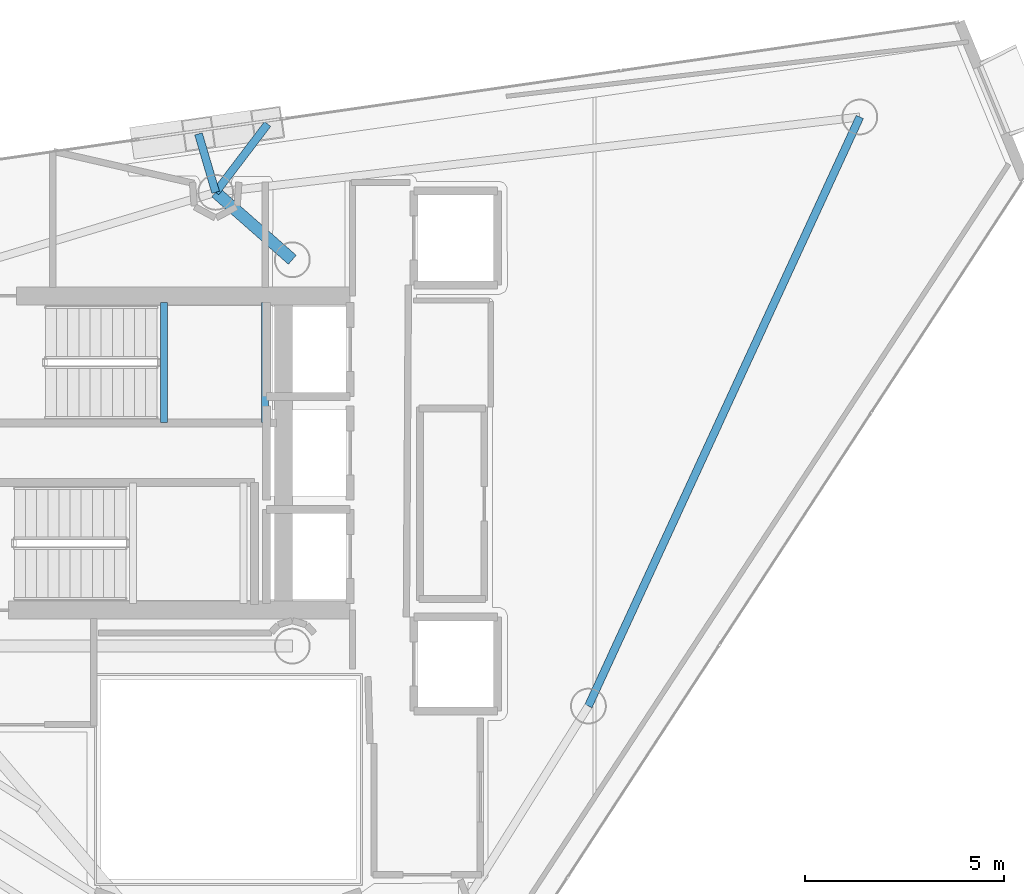
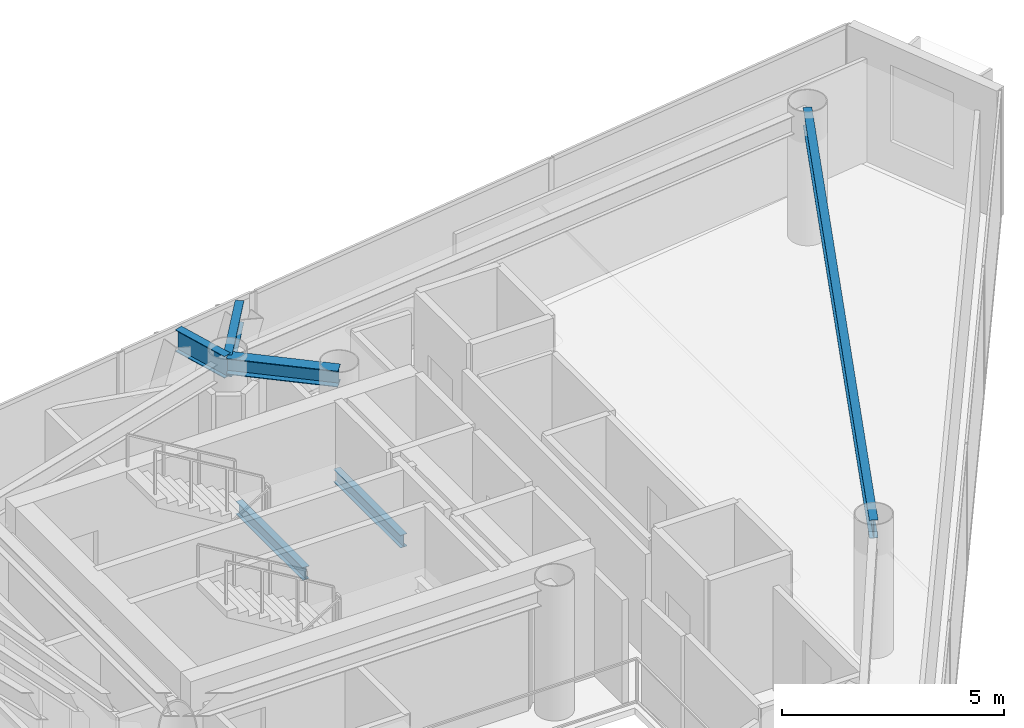
# One storey, part 15 of 25: 6 beams.
"""IFC4 building model written with IfcOpenShell, lengths in metres."""

from ifc_helpers import new_model, si_unit, direction, frame, origin, origin_2d, place, context, subcontext, project, spatial, i_section, extrude, material, material_profile, profile_set, type_object, element, save


model = new_model("IFC4")

# Units and contexts
model_context = context("Model", 3, precision=1e-05, world=origin(), true_north=direction((0.0, 1.0)))
body_context = subcontext(model_context, "Body", "Model", "MODEL_VIEW")
ifc_project = project(units=[si_unit("LENGTHUNIT", "METRE"), si_unit("AREAUNIT", "SQUARE_METRE"), si_unit("VOLUMEUNIT", "CUBIC_METRE"), si_unit("PLANEANGLEUNIT", "RADIAN"), si_unit("MASSUNIT", "GRAM", prefix="KILO")], contexts=[model_context])

# Site, building, storey
site_placement = place(None, origin())
site = spatial("IfcSite", under=ifc_project, at=site_placement, CompositionType="ELEMENT")
building_placement = place(site_placement, origin())
building = spatial("IfcBuilding", under=site, at=building_placement, Name="Qianvela Tower", CompositionType="ELEMENT")
storey_placement = place(building_placement, frame((0.0, 0.0, 291.699951171875)))
storey = spatial("IfcBuildingStorey", under=building, at=storey_placement, Name="L75", CompositionType="ELEMENT", Elevation=291.699951171875)

# Beams
ifc_material_1 = material(Name="Steel Q355B", Category="steel")
ifc_material_profile_1 = material_profile(ifc_material_1, i_section(OverallWidth=0.300048828125, OverallDepth=0.43994140625, WebThickness=0.010986328125, FlangeThickness=0.01806640625, at=origin_2d()), Name="HM440x300x11x18")
ifc_profile_set_1 = profile_set([ifc_material_profile_1], Name="Steel Q355B")
beam_type_1 = type_object("IfcBeamType", Name="BM-HM440-COLL", PredefinedType="BEAM", material=ifc_profile_set_1)
beam_1_placement = place(storey_placement, frame((38.39990234375, 33.550048828125, 3.298095703125), z_axis=(-0.750732416106, 0.660606417928, 0.0), x_axis=(-0.660606417928, -0.750732416106, 0.0)))
element("IfcBeam", 1, at=beam_1_placement, inside=storey, type_object=beam_type_1, Name="L75 Radial Primary Floor Girder 2", PredefinedType="BEAM", context=body_context, shape_type="SweptSolid", body=[
    extrude(i_section(OverallWidth=0.300048828125, OverallDepth=0.43994140625, WebThickness=0.010986328125, FlangeThickness=0.01806640625, at=origin_2d()), origin(), (0.0, 0.0, 1.0), 2.5625),
])
ifc_material_2 = material(Name="Steel Q355B", Category="steel")
ifc_material_profile_2 = material_profile(ifc_material_2, i_section(OverallWidth=0.175048828125, OverallDepth=0.35009765625, WebThickness=0.007080078125, FlangeThickness=0.010986328125, at=origin_2d()), Name="HN350x175x7x11")
ifc_profile_set_2 = profile_set([ifc_material_profile_2], Name="Steel Q355B")
beam_type_2 = type_object("IfcBeamType", Name="BM-HN350-JOIST", PredefinedType="JOIST", material=ifc_profile_set_2)
for number, where, z_axis, x_axis, name in (
    (2, (35.179931640625, 29.4599609375, 1.47509765625), (0.0, 1.0, 0.0), (-1.0, 0.0, 0.0), "L75 Stair ST-1 Landing Support Beam 1.1"),
    (3, (37.719970703125, 29.4599609375, 1.47509765625), (0.0, 1.0, 0.0), (-1.0, 0.0, 0.0), "L75 Stair ST-1 Landing Support Beam 1.2"),
):
    element("IfcBeam", number, at=place(storey_placement, frame(where, z_axis=z_axis, x_axis=x_axis)), inside=storey, type_object=beam_type_2, Name=name, PredefinedType="JOIST", context=body_context, shape_type="SweptSolid", body=[
        extrude(i_section(OverallWidth=0.175048828125, OverallDepth=0.35009765625, WebThickness=0.007080078125, FlangeThickness=0.010986328125, at=origin_2d()), origin(), (0.0, 0.0, 1.0), 3.02001953125),
    ])
ifc_material_3 = material(Name="Steel Q355B", Category="steel")
ifc_material_profile_3 = material_profile(ifc_material_3, i_section(OverallWidth=0.199951171875, OverallDepth=0.5, WebThickness=0.010009765625, FlangeThickness=0.01611328125, at=origin_2d()), Name="HN500x200x10x16")
ifc_profile_set_3 = profile_set([ifc_material_profile_3], Name="Steel Q355B")
beam_type_3 = type_object("IfcBeamType", Name="BM-HN500-GIRD", PredefinedType="BEAM", material=ifc_profile_set_3)
beam_2_placement = place(storey_placement, frame((45.833984375, 22.344970703125, 3.26806640625), z_axis=(0.418440097712, 0.908244396969, 0.0), x_axis=(-0.908244396969, 0.418440097712, 0.0)))
element("IfcBeam", 4, at=beam_2_placement, inside=storey, type_object=beam_type_3, Name="L75 Perimeter Ring Spandrel Girder 6", PredefinedType="BEAM", context=body_context, shape_type="SweptSolid", body=[
    extrude(i_section(OverallWidth=0.199951171875, OverallDepth=0.5, WebThickness=0.010009765625, FlangeThickness=0.01611328125, at=origin_2d()), origin(), (0.0, 0.0, 1.0), 16.2841796875),
])
ifc_material_4 = material(Name="Steel Q355B", Category="steel")
ifc_material_profile_4 = material_profile(ifc_material_4, i_section(OverallWidth=0.199951171875, OverallDepth=0.60009765625, WebThickness=0.010986328125, FlangeThickness=0.01708984375, at=origin_2d()), Name="HN600x200x11x17")
ifc_profile_set_4 = profile_set([ifc_material_profile_4], Name="Steel Q355B")
beam_type_4 = type_object("IfcBeamType", Name="BM-HN600-GIRD", PredefinedType="BEAM", material=ifc_profile_set_4)
beam_3_placement = place(storey_placement, frame((36.47607421875, 35.242919921875, 3.218017578125), z_axis=(0.604721219101, 0.79643722111, 0.0), x_axis=(-0.79643722111, 0.604721219101, 0.0)))
element("IfcBeam", 5, at=beam_3_placement, inside=storey, type_object=beam_type_4, Name="L75 Mega-Brace Column Tie Bracket F1-1", PredefinedType="BEAM", context=body_context, shape_type="SweptSolid", body=[
    extrude(i_section(OverallWidth=0.199951171875, OverallDepth=0.60009765625, WebThickness=0.010986328125, FlangeThickness=0.01708984375, at=origin_2d()), origin(), (0.0, 0.0, 1.0), 2.15478515625),
])
beam_4_placement = place(storey_placement, frame((36.47607421875, 35.242919921875, 3.218017578125), z_axis=(-0.282192233312, 0.959357880803, 0.0), x_axis=(-0.959357880803, -0.282192233312, 0.0)))
element("IfcBeam", 6, at=beam_4_placement, inside=storey, type_object=beam_type_4, Name="L75 Mega-Brace Column Tie Bracket F1-2", PredefinedType="BEAM", context=body_context, shape_type="SweptSolid", body=[
    extrude(i_section(OverallWidth=0.199951171875, OverallDepth=0.60009765625, WebThickness=0.010986328125, FlangeThickness=0.01708984375, at=origin_2d()), origin(), (0.0, 0.0, 1.0), 1.530517578125),
])

save(model, "model.ifc")
